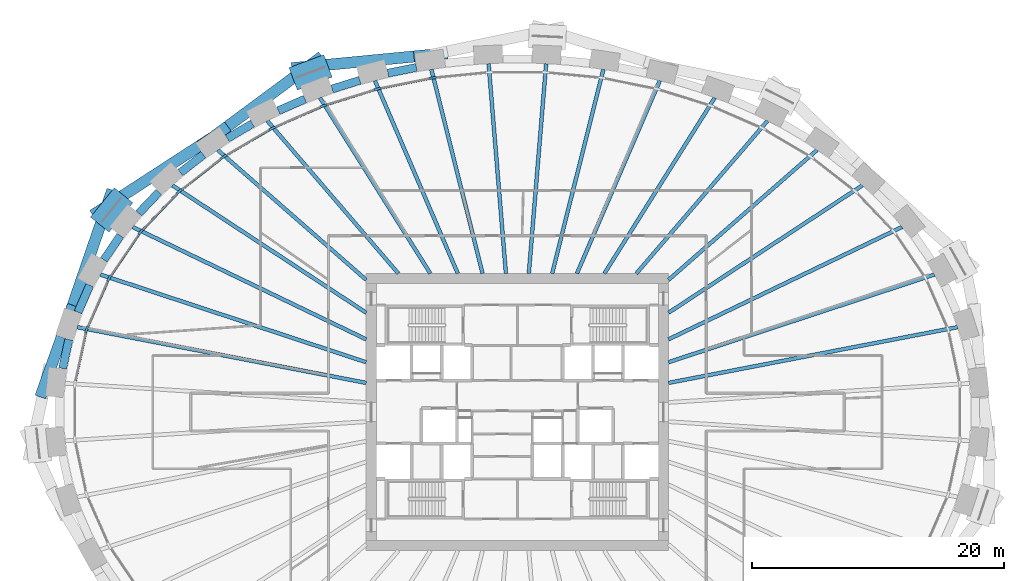
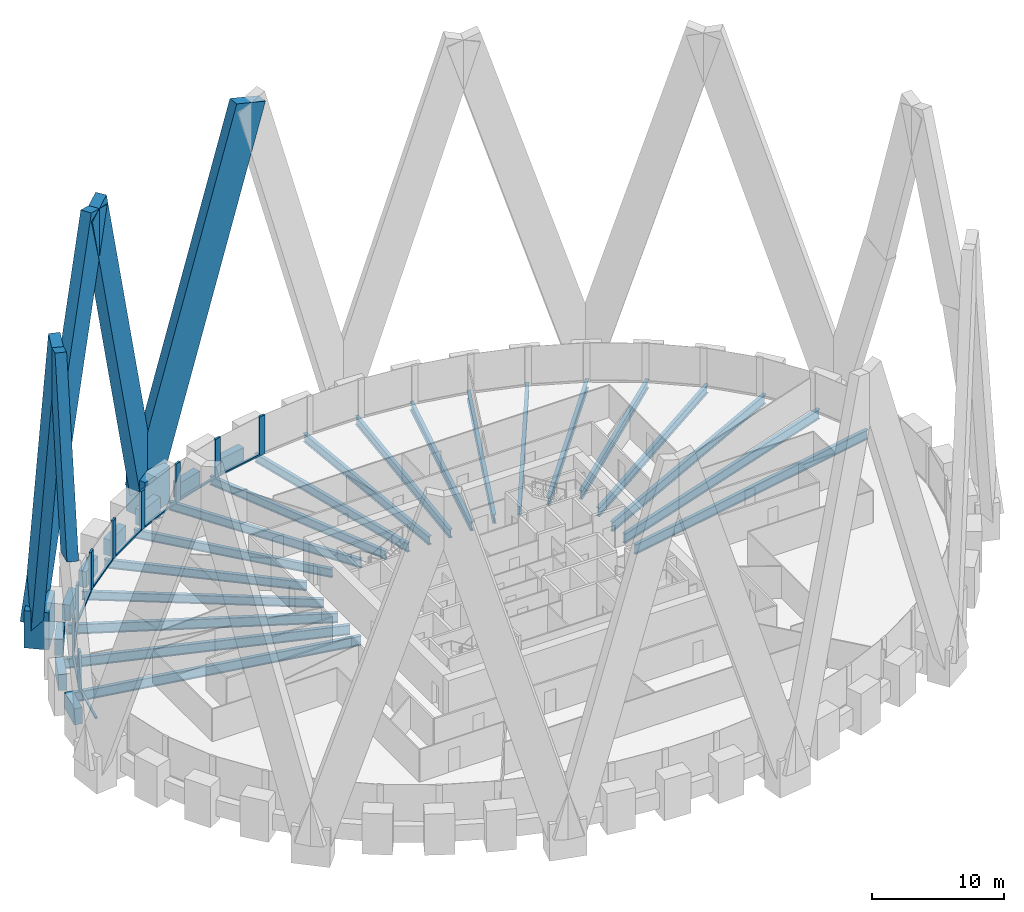
# One storey, part 3 of 12: 29 beams, 25 members, 1 element without a shape of its own.
"""IFC4 building model written with IfcOpenShell, lengths in metres."""

import ifcopenshell
import ifcopenshell.guid

model = None  # the IFC model being written
_history = None  # IfcOwnerHistory: only IFC2X3 demands one
_inside = {}  # id of a spatial element -> (the spatial element, [elements in it])
_under = {}  # id of a project, library or spatial element -> (it, [spatial elements below it])
_declared = {}  # id of a project -> (the project, [libraries it declares])
_typed = {}  # id of a type object -> (the type object, [elements of that type])
_made_of = {}  # id of a material, layer set ... -> (it, [elements and type objects made of it])


def new_model(schema):
    """Start an empty IFC model of exactly this schema.

    Asked for "IFC4X3", IfcOpenShell would pick the latest addendum, in which some entities
    have other attributes; the version numbers below select the first issue.
    IFC2X3 requires an IfcOwnerHistory on every rooted entity: one is made here for all.
    """
    global model, _history
    if schema == "IFC4X3":
        model = ifcopenshell.file(schema_version=(4, 3, 0, 0))
    else:
        model = ifcopenshell.file(schema=schema)
    _inside.clear()
    _under.clear()
    _declared.clear()
    _typed.clear()
    _made_of.clear()
    _history = None
    if model.schema == "IFC2X3":
        org = make("IfcOrganization", Name="unknown")
        user = make(
            "IfcPersonAndOrganization",
            ThePerson=make("IfcPerson", FamilyName="unknown"),
            TheOrganization=org,
        )
        app = make(
            "IfcApplication",
            ApplicationDeveloper=org,
            Version="unknown",
            ApplicationFullName="unknown",
            ApplicationIdentifier="unknown",
        )
        _history = make(
            "IfcOwnerHistory",
            OwningUser=user,
            OwningApplication=app,
            ChangeAction="ADDED",
            CreationDate=0,
        )
    return model


def make(cls, **values):
    """One entity of the class cls with the attributes given. An attribute that is None is left unset."""
    return model.create_entity(
        cls, **{name: value for name, value in values.items() if value is not None}
    )


def rooted(cls, **values):
    """An entity with a GlobalId (a new one), such as an element, a storey or a relation."""
    return make(cls, GlobalId=ifcopenshell.guid.new(), OwnerHistory=_history, **values)


def si_unit(unit_type, name, prefix=None):
    """IfcSIUnit, for example si_unit("LENGTHUNIT", "METRE", prefix="MILLI")."""
    return make("IfcSIUnit", UnitType=unit_type, Prefix=prefix, Name=name)


def assignment(units):
    """IfcUnitAssignment: the units of a project."""
    return None if units is None else make("IfcUnitAssignment", Units=units)


def point(xyz):
    """IfcCartesianPoint."""
    return None if xyz is None else make("IfcCartesianPoint", Coordinates=xyz)


def direction(xyz):
    """IfcDirection."""
    return None if xyz is None else make("IfcDirection", DirectionRatios=xyz)


def frame(location, z_axis=None, x_axis=None):
    """IfcAxis2Placement3D, a coordinate frame: its origin and axes. An axis left out is left unset."""
    return make(
        "IfcAxis2Placement3D",
        Location=point(location),
        Axis=direction(z_axis),
        RefDirection=direction(x_axis),
    )


def frame_2d(location, x_axis=None):
    """IfcAxis2Placement2D, a coordinate frame in the plane: its origin and x axis."""
    return make(
        "IfcAxis2Placement2D", Location=point(location), RefDirection=direction(x_axis)
    )


def origin():
    """The frame at (0, 0, 0) with its axes left unset."""
    return frame((0.0, 0.0, 0.0))


def origin_2d():
    """The frame at (0, 0) in the plane with its x axis left unset."""
    return frame_2d((0.0, 0.0))


def place(relative_to, where):
    """IfcLocalPlacement: puts the frame where relative to a parent placement (None: the world)."""
    return make(
        "IfcLocalPlacement", PlacementRelTo=relative_to, RelativePlacement=where
    )


def context(
    kind, dimensions, precision=None, world=None, true_north=None, identifier=None
):
    """IfcGeometricRepresentationContext, for example the 3D "Model" context."""
    return make(
        "IfcGeometricRepresentationContext",
        ContextIdentifier=identifier,
        ContextType=kind,
        CoordinateSpaceDimension=dimensions,
        Precision=precision,
        WorldCoordinateSystem=world,
        TrueNorth=true_north,
    )


def subcontext(parent, identifier, kind, view, scale=None):
    """IfcGeometricRepresentationSubContext, for example "Body" below "Model"."""
    return make(
        "IfcGeometricRepresentationSubContext",
        ContextIdentifier=identifier,
        ContextType=kind,
        ParentContext=parent,
        TargetScale=scale,
        TargetView=view,
    )


def project(units=None, contexts=None):
    """IfcProject with its units and contexts."""
    return rooted(
        "IfcProject",
        Name="project",
        RepresentationContexts=contexts,
        UnitsInContext=assignment(units),
    )


def spatial(cls, under=None, at=None, **own):
    """A site, building, storey or space (cls), placed at a placement, below another one or the project."""
    s = rooted(cls, ObjectPlacement=at, **own)
    if under is not None:
        _under.setdefault(under.id(), (under, []))[1].append(s)
    return s


def profile(cls, at=None, kind="AREA", **sizes):
    """A parametric profile (cls). Its sizes go by their IFC names, for example OverallWidth=200.0."""
    return make(cls, ProfileType=kind, Position=at, **sizes)


def rectangle(**sizes):
    """IfcRectangleProfileDef."""
    return profile("IfcRectangleProfileDef", **sizes)


def i_section(**sizes):
    """IfcIShapeProfileDef."""
    return profile("IfcIShapeProfileDef", **sizes)


def extrude(swept, where, along, depth):
    """IfcExtrudedAreaSolid: the profile swept, set in the frame where, extruded along a direction by depth."""
    return make(
        "IfcExtrudedAreaSolid",
        SweptArea=swept,
        Position=where,
        ExtrudedDirection=direction(along),
        Depth=depth,
    )


def shape(context_of_items, identifier, shape_type, items):
    """IfcShapeRepresentation: the items that make up one representation, for example the "Body"."""
    return make(
        "IfcShapeRepresentation",
        ContextOfItems=context_of_items,
        RepresentationIdentifier=identifier,
        RepresentationType=shape_type,
        Items=items,
    )


def source(mapping_origin, context_of_items, identifier, shape_type, items):
    """IfcRepresentationMap: a shape defined once, which mapped items show again and again."""
    return make(
        "IfcRepresentationMap",
        MappingOrigin=mapping_origin,
        MappedRepresentation=shape(context_of_items, identifier, shape_type, items),
    )


def transform(
    local_origin,
    x_axis=None,
    y_axis=None,
    z_axis=None,
    scale=None,
    scale2=None,
    scale3=None,
    uniform=True,
):
    """IfcCartesianTransformationOperator3D, or its non-uniform kind. x_axis, y_axis, z_axis: its Axis1, 2, 3."""
    if uniform:
        return make(
            "IfcCartesianTransformationOperator3D",
            Axis1=direction(x_axis),
            Axis2=direction(y_axis),
            LocalOrigin=point(local_origin),
            Scale=scale,
            Axis3=direction(z_axis),
        )
    return make(
        "IfcCartesianTransformationOperator3DnonUniform",
        Axis1=direction(x_axis),
        Axis2=direction(y_axis),
        LocalOrigin=point(local_origin),
        Scale=scale,
        Axis3=direction(z_axis),
        Scale2=scale2,
        Scale3=scale3,
    )


def mapped(mapping_source, mapping_target):
    """IfcMappedItem: shows the shape of a source again, moved by a transform."""
    return make(
        "IfcMappedItem", MappingSource=mapping_source, MappingTarget=mapping_target
    )


def material(Name=None, Category=None):
    """IfcMaterial."""
    return make("IfcMaterial", Name=Name, Category=Category)


def material_profile(
    of_material, cross_section, Name=None, Category=None, Priority=None
):
    """IfcMaterialProfile: a cross section and its material."""
    return make(
        "IfcMaterialProfile",
        Name=Name,
        Material=of_material,
        Profile=cross_section,
        Priority=Priority,
        Category=Category,
    )


def profile_set(profiles, Name=None, composite=None):
    """IfcMaterialProfileSet."""
    return make(
        "IfcMaterialProfileSet",
        Name=Name,
        MaterialProfiles=profiles,
        CompositeProfile=composite,
    )


def made_of(thing, what):
    """Note that an element or type object is made of a material, layer set ...; save() writes the relation."""
    if what is not None:
        _made_of.setdefault(what.id(), (what, []))[1].append(thing)
    return thing


def type_object(cls, material=None, **own):
    """A type object (cls), such as IfcWallType, which elements share."""
    return made_of(rooted(cls, **own), material)


def element(
    cls,
    number,
    at=None,
    inside=None,
    cuts=None,
    type_object=None,
    material=None,
    context=None,
    identifier="Body",
    shape_type=None,
    held_by="IfcProductDefinitionShape",
    body=None,
    shapes=None,
    **own,
):
    """One element of the class cls, such as IfcWall. Its Tag is "e" and its number.

    at: its placement. inside: the storey or other place that contains it. cuts: it is an
    opening in that element (IfcRelVoidsElement). A single representation is given by context,
    identifier, shape_type and body (its items); several are given by shapes. held_by: the class
    of the entity that holds the representations. save() writes the other relations.
    """
    e = rooted(cls, Tag="e%d" % number, ObjectPlacement=at, **own)
    if body is not None:
        shapes = [shape(context, identifier, shape_type, body)]
    if shapes is not None:
        e.Representation = make(held_by, Representations=shapes)
    if inside is not None:
        _inside.setdefault(inside.id(), (inside, []))[1].append(e)
    if cuts is not None:
        rooted(
            "IfcRelVoidsElement", RelatingBuildingElement=cuts, RelatedOpeningElement=e
        )
    if type_object is not None:
        _typed.setdefault(type_object.id(), (type_object, []))[1].append(e)
    return made_of(e, material)


def aggregate(whole, parts):
    """IfcRelAggregates: a whole, such as a stair, and the parts it consists of."""
    return rooted("IfcRelAggregates", RelatingObject=whole, RelatedObjects=parts)


def save(model, path):
    """Write the relations noted so far, then the file.

    IfcRelAggregates (storeys below a building ...), IfcRelContainedInSpatialStructure (elements
    in a storey), IfcRelDefinesByType, IfcRelAssociatesMaterial and IfcRelDeclares: one each for
    every whole, place, type object, material and project.
    """
    for whole, parts in _under.values():
        aggregate(whole, parts)
    for where, things in _inside.values():
        rooted(
            "IfcRelContainedInSpatialStructure",
            RelatedElements=things,
            RelatingStructure=where,
        )
    for kind, things in _typed.values():
        rooted("IfcRelDefinesByType", RelatedObjects=things, RelatingType=kind)
    for what, things in _made_of.values():
        rooted("IfcRelAssociatesMaterial", RelatedObjects=things, RelatingMaterial=what)
    for by, libraries in _declared.values():
        rooted("IfcRelDeclares", RelatingContext=by, RelatedDefinitions=libraries)
    model.write(path)


model = new_model("IFC4")

# Units and contexts
model_context = context("Model", 3, precision=1e-05, world=origin(), true_north=direction((0.0, 1.0)))
body_context = subcontext(model_context, "Body", "Model", "MODEL_VIEW")
ifc_project = project(units=[si_unit("LENGTHUNIT", "METRE"), si_unit("AREAUNIT", "SQUARE_METRE"), si_unit("VOLUMEUNIT", "CUBIC_METRE"), si_unit("PLANEANGLEUNIT", "RADIAN"), si_unit("MASSUNIT", "GRAM", prefix="KILO")], contexts=[model_context])

# Site, building, storey
site_placement = place(None, origin())
site = spatial("IfcSite", under=ifc_project, at=site_placement, CompositionType="ELEMENT")
building_placement = place(site_placement, origin())
building = spatial("IfcBuilding", under=site, at=building_placement, Name="Embergate Tower", CompositionType="ELEMENT")
storey_placement = place(building_placement, frame((0.0, 0.0, 191.10009765625)))
storey = spatial("IfcBuildingStorey", under=building, at=storey_placement, Name="L43", CompositionType="ELEMENT", Elevation=191.10009765625)

# Beams
ifc_material_1 = material(Name="Concrete C70", Category="concrete")
ifc_material_profile_1 = material_profile(ifc_material_1, rectangle(XDim=0.64990234375, YDim=1.5, at=origin_2d()), Name="RC 650x1500")
ifc_profile_set_1 = profile_set([ifc_material_profile_1], Name="Concrete C70")
beam_type_1 = type_object("IfcBeamType", Name="Spandrel beam RC 650x1500 C70", PredefinedType="BEAM", material=ifc_profile_set_1)
shared_shape_1 = source(origin(), body_context, "Body", "SweptSolid", [
    extrude(rectangle(XDim=0.64990234375, YDim=1.5, at=origin_2d()), origin(), (0.0, 0.0, 1.0), 2.34375),
])
beam_1_placement = place(storey_placement, frame((-35.614013671875, 5.75, 0.0), z_axis=(-0.210738330645, -0.977542508537, 0.0), x_axis=(0.977542508537, -0.210738330645, 0.0)))
element("IfcBeam", 1, at=beam_1_placement, inside=storey, type_object=beam_type_1, Name="SPN-L43-20", PredefinedType="BEAM", context=body_context, shape_type="MappedRepresentation", body=[
    mapped(shared_shape_1, transform((0.0, 0.0, 0.0))),
])
shared_shape_2 = source(origin(), body_context, "Body", "SweptSolid", [
    extrude(rectangle(XDim=0.64990234375, YDim=1.5, at=origin_2d()), origin(), (0.0, 0.0, 1.0), 2.3349609375),
])
beam_2_placement = place(storey_placement, frame((-33.949951171875, 10.070068359375, 0.0), z_axis=(-0.401729187016, -0.915758516368, 0.0), x_axis=(0.915758516368, -0.401729187016, 0.0)))
element("IfcBeam", 2, at=beam_2_placement, inside=storey, type_object=beam_type_1, Name="SPN-L43-19", PredefinedType="BEAM", context=body_context, shape_type="MappedRepresentation", body=[
    mapped(shared_shape_2, transform((0.0, 0.0, 0.0))),
])
shared_shape_3 = source(origin(), body_context, "Body", "SweptSolid", [
    extrude(rectangle(XDim=0.64990234375, YDim=1.5, at=origin_2d()), origin(), (0.0, 0.0, 1.0), 2.329345703125),
])
beam_3_placement = place(storey_placement, frame((-31.52587890625, 14.009033203125, 0.0), z_axis=(-0.562416089232, -0.826854366, 0.0), x_axis=(0.826854366, -0.562416089232, 0.0)))
element("IfcBeam", 3, at=beam_3_placement, inside=storey, type_object=beam_type_1, Name="SPN-L43-18", PredefinedType="BEAM", context=body_context, shape_type="MappedRepresentation", body=[
    mapped(shared_shape_3, transform((0.0, 0.0, 0.0))),
])
shared_shape_4 = source(origin(), body_context, "Body", "SweptSolid", [
    extrude(rectangle(XDim=0.64990234375, YDim=1.5, at=origin_2d()), origin(), (0.0, 0.0, 1.0), 2.322265625),
])
beam_4_placement = place(storey_placement, frame((-28.462890625, 17.466064453125, 0.0), z_axis=(-0.690300694886, -0.723522598569, 0.0), x_axis=(0.723522598569, -0.690300694886, 0.0)))
element("IfcBeam", 4, at=beam_4_placement, inside=storey, type_object=beam_type_1, Name="SPN-L43-17", PredefinedType="BEAM", context=body_context, shape_type="MappedRepresentation", body=[
    mapped(shared_shape_4, transform((0.0, 0.0, 0.0))),
])
shared_shape_5 = source(origin(), body_context, "Body", "SweptSolid", [
    extrude(rectangle(XDim=0.64990234375, YDim=1.5, at=origin_2d()), origin(), (0.0, 0.0, 1.0), 2.31787109375),
])
beam_5_placement = place(storey_placement, frame((-24.930908203125, 20.43603515625, 0.0), z_axis=(-0.788324506127, -0.615259679354, 0.0), x_axis=(0.615259679354, -0.788324506127, 0.0)))
element("IfcBeam", 5, at=beam_5_placement, inside=storey, type_object=beam_type_1, Name="SPN-L43-16", PredefinedType="BEAM", context=body_context, shape_type="MappedRepresentation", body=[
    mapped(shared_shape_5, transform((0.0, 0.0, 0.0))),
])
shared_shape_6 = source(origin(), body_context, "Body", "SweptSolid", [
    extrude(rectangle(XDim=0.64990234375, YDim=1.5, at=origin_2d()), origin(), (0.0, 0.0, 1.0), 2.31298828125),
])
beam_6_placement = place(storey_placement, frame((-21.034912109375, 22.902099609375, 0.0), z_axis=(-0.86210510292, -0.506729505279, 0.0), x_axis=(0.506729505279, -0.86210510292, 0.0)))
element("IfcBeam", 6, at=beam_6_placement, inside=storey, type_object=beam_type_1, Name="SPN-L43-15", PredefinedType="BEAM", context=body_context, shape_type="MappedRepresentation", body=[
    mapped(shared_shape_6, transform((0.0, 0.0, 0.0))),
])
shared_shape_7 = source(origin(), body_context, "Body", "SweptSolid", [
    extrude(rectangle(XDim=0.64990234375, YDim=1.5, at=origin_2d()), origin(), (0.0, 0.0, 1.0), 2.30810546875),
])
beam_7_placement = place(storey_placement, frame((-16.862060546875, 24.85400390625, 0.0), z_axis=(-0.91635386748, -0.40036931645, 0.0), x_axis=(0.40036931645, -0.91635386748, 0.0)))
element("IfcBeam", 7, at=beam_7_placement, inside=storey, type_object=beam_type_1, Name="SPN-L43-14", PredefinedType="BEAM", context=body_context, shape_type="MappedRepresentation", body=[
    mapped(shared_shape_7, transform((0.0, 0.0, 0.0))),
])
shared_shape_8 = source(origin(), body_context, "Body", "SweptSolid", [
    extrude(rectangle(XDim=0.64990234375, YDim=1.5, at=origin_2d()), origin(), (0.0, 0.0, 1.0), 2.306640625),
])
beam_8_placement = place(storey_placement, frame((-12.5048828125, 26.343994140625, 0.0), z_axis=(-0.954743281812, -0.297431111074, 0.0), x_axis=(0.297431111074, -0.954743281812, 0.0)))
element("IfcBeam", 8, at=beam_8_placement, inside=storey, type_object=beam_type_1, Name="SPN-L43-13", PredefinedType="BEAM", context=body_context, shape_type="MappedRepresentation", body=[
    mapped(shared_shape_8, transform((0.0, 0.0, 0.0))),
])
shared_shape_9 = source(origin(), body_context, "Body", "SweptSolid", [
    extrude(rectangle(XDim=0.64990234375, YDim=1.5, at=origin_2d()), origin(), (0.0, 0.0, 1.0), 2.3037109375),
])
beam_9_placement = place(storey_placement, frame((-8.01708984375, 27.365966796875, 0.0), z_axis=(-0.980486815957, -0.196584851232, 0.0), x_axis=(0.196584851232, -0.980486815957, 0.0)))
element("IfcBeam", 9, at=beam_9_placement, inside=storey, type_object=beam_type_1, Name="SPN-L43-12", PredefinedType="BEAM", context=body_context, shape_type="MappedRepresentation", body=[
    mapped(shared_shape_9, transform((0.0, 0.0, 0.0))),
])
ifc_material_2 = material(Name="Steel Q355B", Category="steel")
ifc_material_profile_2 = material_profile(ifc_material_2, i_section(OverallWidth=0.300048828125, OverallDepth=0.89990234375, WebThickness=0.01611328125, FlangeThickness=0.028076171875, FilletRadius=0.028076171875, at=origin_2d()), Name="HN 900x300x16x28")
ifc_profile_set_2 = profile_set([ifc_material_profile_2], Name="Steel Q355 grade B")
beam_type_2 = type_object("IfcBeamType", Name="Radial girder HN 900x300x16x28", PredefinedType="BEAM", material=ifc_profile_set_2)
shared_shape_10 = source(origin(), body_context, "Body", "SweptSolid", [
    extrude(i_section(OverallWidth=0.300048828125, OverallDepth=0.89990234375, WebThickness=0.01611328125, FlangeThickness=0.028076171875, FilletRadius=0.028076171875, at=origin_2d()), origin(), (0.0, 0.0, 1.0), 23.368896484375),
])
for number, where, z_axis, x_axis, name in (
    (10, (34.946044921875, 6.740966796875, -0.650146484375), (-0.981900554316, -0.189397205456, 0.0), (0.189397205456, -0.981900554316, 0.0), "GIR-L43-01"),
    (11, (-34.946044921875, 6.740966796875, -0.650146484375), (0.981900554316, -0.189397205456, 0.0), (0.189397205456, 0.981900554316, 0.0), "GIR-L43-20"),
):
    element("IfcBeam", number, at=place(storey_placement, frame(where, z_axis=z_axis, x_axis=x_axis)), inside=storey, type_object=beam_type_2, Name=name, PredefinedType="BEAM", context=body_context, shape_type="MappedRepresentation", body=[
        mapped(shared_shape_10, transform((0.0, 0.0, 0.0))),
    ])
shared_shape_11 = source(origin(), body_context, "Body", "SweptSolid", [
    extrude(i_section(OverallWidth=0.300048828125, OverallDepth=0.89990234375, WebThickness=0.01611328125, FlangeThickness=0.028076171875, FilletRadius=0.028076171875, at=origin_2d()), origin(), (0.0, 0.0, 1.0), 22.2314453125),
])
for number, where, z_axis, x_axis, name in (
    (12, (33.113037109375, 10.919921875, -0.650146484375), (-0.949687686315, -0.313198496903, 0.0), (0.313198496903, -0.949687686315, 0.0), "GIR-L43-02"),
    (13, (-33.113037109375, 10.919921875, -0.650146484375), (0.949687686315, -0.313198496903, 0.0), (0.313198496903, 0.949687686315, 0.0), "GIR-L43-19"),
):
    element("IfcBeam", number, at=place(storey_placement, frame(where, z_axis=z_axis, x_axis=x_axis)), inside=storey, type_object=beam_type_2, Name=name, PredefinedType="BEAM", context=body_context, shape_type="MappedRepresentation", body=[
        mapped(shared_shape_11, transform((0.0, 0.0, 0.0))),
    ])
shared_shape_12 = source(origin(), body_context, "Body", "SweptSolid", [
    extrude(i_section(OverallWidth=0.300048828125, OverallDepth=0.89990234375, WebThickness=0.01611328125, FlangeThickness=0.028076171875, FilletRadius=0.028076171875, at=origin_2d()), origin(), (0.0, 0.0, 1.0), 20.580322265625),
])
for number, where, z_axis, x_axis, name in (
    (14, (30.5458984375, 14.695068359375, -0.650146484375), (-0.901141928055, -0.433524192522, 0.0), (0.433524192522, -0.901141928055, 0.0), "GIR-L43-03"),
    (15, (-30.5458984375, 14.695068359375, -0.650146484375), (0.901141928055, -0.433524192522, 0.0), (0.433524192522, 0.901141928055, 0.0), "GIR-L43-18"),
):
    element("IfcBeam", number, at=place(storey_placement, frame(where, z_axis=z_axis, x_axis=x_axis)), inside=storey, type_object=beam_type_2, Name=name, PredefinedType="BEAM", context=body_context, shape_type="MappedRepresentation", body=[
        mapped(shared_shape_12, transform((0.0, 0.0, 0.0))),
    ])
ifc_material_profile_3 = material_profile(ifc_material_2, i_section(OverallWidth=0.300048828125, OverallDepth=0.800048828125, WebThickness=0.013916015625, FlangeThickness=0.02587890625, FilletRadius=0.028076171875, at=origin_2d()), Name="HN 800x300x14x26")
ifc_profile_set_3 = profile_set([ifc_material_profile_3], Name="Steel Q355 grade B")
beam_type_3 = type_object("IfcBeamType", Name="Radial girder HN 800x300x14x26", PredefinedType="BEAM", material=ifc_profile_set_3)
shared_shape_13 = source(origin(), body_context, "Body", "SweptSolid", [
    extrude(i_section(OverallWidth=0.300048828125, OverallDepth=0.800048828125, WebThickness=0.013916015625, FlangeThickness=0.02587890625, FilletRadius=0.028076171875, at=origin_2d()), origin(), (0.0, 0.0, 1.0), 18.420654296875),
])
for number, where, z_axis, x_axis, name in (
    (16, (27.39501953125, 17.9990234375, -0.60009765625), (-0.835748751714, -0.549112032292, 0.0), (0.549112032292, -0.835748751714, 0.0), "GIR-L43-04"),
    (17, (-27.39501953125, 17.9990234375, -0.60009765625), (0.835748751714, -0.549112032292, 0.0), (0.549112032292, 0.835748751714, 0.0), "GIR-L43-17"),
):
    element("IfcBeam", number, at=place(storey_placement, frame(where, z_axis=z_axis, x_axis=x_axis)), inside=storey, type_object=beam_type_3, Name=name, PredefinedType="BEAM", context=body_context, shape_type="MappedRepresentation", body=[
        mapped(shared_shape_13, transform((0.0, 0.0, 0.0))),
    ])
shared_shape_14 = source(origin(), body_context, "Body", "SweptSolid", [
    extrude(i_section(OverallWidth=0.300048828125, OverallDepth=0.800048828125, WebThickness=0.013916015625, FlangeThickness=0.02587890625, FilletRadius=0.028076171875, at=origin_2d()), origin(), (0.0, 0.0, 1.0), 15.6689453125),
])
for number, where, z_axis, x_axis, name in (
    (18, (23.794921875, 20.81005859375, -0.60009765625), (-0.752754264338, -0.658301615919, 0.0), (0.658301615919, -0.752754264338, 0.0), "GIR-L43-05"),
    (19, (-23.794921875, 20.81005859375, -0.60009765625), (0.752754264338, -0.658301615919, 0.0), (0.658301615919, 0.752754264338, 0.0), "GIR-L43-16"),
):
    element("IfcBeam", number, at=place(storey_placement, frame(where, z_axis=z_axis, x_axis=x_axis)), inside=storey, type_object=beam_type_3, Name=name, PredefinedType="BEAM", context=body_context, shape_type="MappedRepresentation", body=[
        mapped(shared_shape_14, transform((0.0, 0.0, 0.0))),
    ])
shared_shape_15 = source(origin(), body_context, "Body", "SweptSolid", [
    extrude(i_section(OverallWidth=0.300048828125, OverallDepth=0.800048828125, WebThickness=0.013916015625, FlangeThickness=0.02587890625, FilletRadius=0.028076171875, at=origin_2d()), origin(), (0.0, 0.0, 1.0), 15.98193359375),
])
for number, where, z_axis, x_axis, name in (
    (20, (19.85791015625, 23.125, -0.60009765625), (-0.651476732158, -0.758668615047, 0.0), (0.758668615047, -0.651476732158, 0.0), "GIR-L43-06"),
    (21, (-19.85791015625, 23.125, -0.60009765625), (0.651476732158, -0.758668615047, 0.0), (0.758668615047, 0.651476732158, 0.0), "GIR-L43-15"),
):
    element("IfcBeam", number, at=place(storey_placement, frame(where, z_axis=z_axis, x_axis=x_axis)), inside=storey, type_object=beam_type_3, Name=name, PredefinedType="BEAM", context=body_context, shape_type="MappedRepresentation", body=[
        mapped(shared_shape_15, transform((0.0, 0.0, 0.0))),
    ])
shared_shape_16 = source(origin(), body_context, "Body", "SweptSolid", [
    extrude(i_section(OverallWidth=0.300048828125, OverallDepth=0.800048828125, WebThickness=0.013916015625, FlangeThickness=0.02587890625, FilletRadius=0.028076171875, at=origin_2d()), origin(), (0.0, 0.0, 1.0), 16.47802734375),
])
for number, where, z_axis, x_axis, name in (
    (22, (15.672119140625, 24.9541015625, -0.60009765625), (-0.531867473593, -0.846827603786, 0.0), (0.846827603786, -0.531867473593, 0.0), "GIR-L43-07"),
    (23, (-15.672119140625, 24.9541015625, -0.60009765625), (0.531867473593, -0.846827603786, 0.0), (0.846827603786, 0.531867473593, 0.0), "GIR-L43-14"),
):
    element("IfcBeam", number, at=place(storey_placement, frame(where, z_axis=z_axis, x_axis=x_axis)), inside=storey, type_object=beam_type_3, Name=name, PredefinedType="BEAM", context=body_context, shape_type="MappedRepresentation", body=[
        mapped(shared_shape_16, transform((0.0, 0.0, 0.0))),
    ])
shared_shape_17 = source(origin(), body_context, "Body", "SweptSolid", [
    extrude(i_section(OverallWidth=0.300048828125, OverallDepth=0.800048828125, WebThickness=0.013916015625, FlangeThickness=0.02587890625, FilletRadius=0.028076171875, at=origin_2d()), origin(), (0.0, 0.0, 1.0), 16.667724609375),
])
for number, where, z_axis, x_axis, name in (
    (24, (11.31005859375, 26.31298828125, -0.60009765625), (-0.394898441687, -0.918724779655, 0.0), (0.918724779655, -0.394898441687, 0.0), "GIR-L43-08"),
    (25, (-11.31005859375, 26.31298828125, -0.60009765625), (0.394898441687, -0.918724779655, 0.0), (0.918724779655, 0.394898441687, 0.0), "GIR-L43-13"),
):
    element("IfcBeam", number, at=place(storey_placement, frame(where, z_axis=z_axis, x_axis=x_axis)), inside=storey, type_object=beam_type_3, Name=name, PredefinedType="BEAM", context=body_context, shape_type="MappedRepresentation", body=[
        mapped(shared_shape_17, transform((0.0, 0.0, 0.0))),
    ])
shared_shape_18 = source(origin(), body_context, "Body", "SweptSolid", [
    extrude(i_section(OverallWidth=0.300048828125, OverallDepth=0.800048828125, WebThickness=0.013916015625, FlangeThickness=0.02587890625, FilletRadius=0.028076171875, at=origin_2d()), origin(), (0.0, 0.0, 1.0), 16.7138671875),
])
for number, where, z_axis, x_axis, name in (
    (26, (6.8310546875, 27.2109375, -0.60009765625), (-0.243456622588, -0.969911786153, 0.0), (0.969911786153, -0.243456622588, 0.0), "GIR-L43-09"),
    (27, (-6.8310546875, 27.2109375, -0.60009765625), (0.243456622588, -0.969911786153, 0.0), (0.969911786153, 0.243456622588, 0.0), "GIR-L43-12"),
):
    element("IfcBeam", number, at=place(storey_placement, frame(where, z_axis=z_axis, x_axis=x_axis)), inside=storey, type_object=beam_type_3, Name=name, PredefinedType="BEAM", context=body_context, shape_type="MappedRepresentation", body=[
        mapped(shared_shape_18, transform((0.0, 0.0, 0.0))),
    ])
shared_shape_19 = source(origin(), body_context, "Body", "SweptSolid", [
    extrude(i_section(OverallWidth=0.300048828125, OverallDepth=0.800048828125, WebThickness=0.013916015625, FlangeThickness=0.02587890625, FilletRadius=0.028076171875, at=origin_2d()), origin(), (0.0, 0.0, 1.0), 16.714599609375),
])
for number, where, z_axis, x_axis, name in (
    (28, (2.284912109375, 27.657958984375, -0.60009765625), (-0.08232138593, -0.99660583453, 0.0), (0.99660583453, -0.08232138593, 0.0), "GIR-L43-10"),
    (29, (-2.284912109375, 27.657958984375, -0.60009765625), (0.08232138593, -0.99660583453, 0.0), (0.99660583453, 0.08232138593, 0.0), "GIR-L43-11"),
):
    element("IfcBeam", number, at=place(storey_placement, frame(where, z_axis=z_axis, x_axis=x_axis)), inside=storey, type_object=beam_type_3, Name=name, PredefinedType="BEAM", context=body_context, shape_type="MappedRepresentation", body=[
        mapped(shared_shape_19, transform((0.0, 0.0, 0.0))),
    ])

# Members
ifc_material_profile_4 = material_profile(ifc_material_1, rectangle(XDim=1.89990234375, YDim=3.0, at=origin_2d()), Name="RC 1900x3000")
ifc_profile_set_4 = profile_set([ifc_material_profile_4], Name="Concrete C70")
member_type_1 = type_object("IfcMemberType", Name="Lattice node block RC 1900x3000", PredefinedType="POST", material=ifc_profile_set_4)
shared_shape_20 = source(origin(), body_context, "Body", "SweptSolid", [
    extrude(rectangle(XDim=1.89990234375, YDim=3.0, at=origin_2d()), origin(), (0.0, 0.0, 1.0), 3.449951171875),
])
member_1_placement = place(storey_placement, frame((-32.215087890625, 16.051025390625, -1.72509765625), z_axis=(0.0, 0.0, 1.0), x_axis=(-0.775925311702, 0.630824786022, 0.0)))
element("IfcMember", 30, at=member_1_placement, inside=storey, type_object=member_type_1, Name="NOD-L43-18", PredefinedType="POST", context=body_context, shape_type="MappedRepresentation", body=[
    mapped(shared_shape_20, transform((0.0, 0.0, 0.0))),
])
ifc_material_profile_5 = material_profile(ifc_material_1, rectangle(XDim=1.89990234375, YDim=2.949951171875, at=origin_2d()), Name="RC 1900x2950")
ifc_profile_set_5 = profile_set([ifc_material_profile_5], Name="Concrete C70")
member_type_2 = type_object("IfcMemberType", Name="Lattice node block RC 1900x2950", PredefinedType="POST", material=ifc_profile_set_5)
shared_shape_21 = source(origin(), body_context, "Body", "SweptSolid", [
    extrude(rectangle(XDim=1.89990234375, YDim=2.949951171875, at=origin_2d()), origin(), (0.0, 0.0, 1.0), 3.400146484375),
])
member_2_placement = place(storey_placement, frame((-16.4208984375, 26.969970703125, -1.7001953125), z_axis=(0.0, 0.0, 1.0), x_axis=(-0.348343015724, 0.93736713373, 0.0)))
element("IfcMember", 31, at=member_2_placement, inside=storey, type_object=member_type_2, Name="NOD-L43-14", PredefinedType="POST", context=body_context, shape_type="MappedRepresentation", body=[
    mapped(shared_shape_21, transform((0.0, 0.0, 0.0))),
])
ifc_material_profile_6 = material_profile(ifc_material_1, rectangle(XDim=0.89990234375, YDim=2.800048828125, at=origin_2d()), Name="RC 900x2800")
ifc_profile_set_6 = profile_set([ifc_material_profile_6], Name="Concrete C70")
member_type_3 = type_object("IfcMemberType", Name="Lattice diagonal terracotta-faced RC 900x2800", PredefinedType="BRACE", material=ifc_profile_set_6)
shared_shape_22 = source(origin(), body_context, "Body", "SweptSolid", [
    extrude(rectangle(XDim=0.89990234375, YDim=2.800048828125, at=origin_2d()), origin(), (0.0, 0.0, 1.0), 33.26513671875),
])
member_3_placement = place(storey_placement, frame((-16.593017578125, 27.431884765625, 0.0), z_axis=(0.292196752751, 0.027962465224, 0.955949349192), x_axis=(-0.095262174421, 0.995452217901, 0.0)))
element("IfcMember", 32, at=member_3_placement, inside=storey, type_object=member_type_3, Name="BRC-L43-14-12-S00", PredefinedType="BRACE", context=body_context, shape_type="MappedRepresentation", body=[
    mapped(shared_shape_22, transform((0.0, 0.0, 0.0))),
])
shared_shape_23 = source(origin(), body_context, "Body", "SweptSolid", [
    extrude(rectangle(XDim=0.89990234375, YDim=2.800048828125, at=origin_2d()), origin(), (0.0, 0.0, 1.0), 33.134765625),
])
member_4_placement = place(storey_placement, frame((-16.593017578125, 27.431884765625, 0.0), z_axis=(-0.225861867939, -0.167160181312, 0.959710315874), x_axis=(0.594894512553, -0.803803781364, 0.0)))
element("IfcMember", 33, at=member_4_placement, inside=storey, type_object=member_type_3, Name="BRC-L43-14-16-S00", PredefinedType="BRACE", context=body_context, shape_type="MappedRepresentation", body=[
    mapped(shared_shape_23, transform((0.0, 0.0, 0.0))),
])
shared_shape_24 = source(origin(), body_context, "Body", "SweptSolid", [
    extrude(rectangle(XDim=0.89990234375, YDim=2.800048828125, at=origin_2d()), origin(), (0.0, 0.0, 1.0), 33.3828125),
])
member_5_placement = place(storey_placement, frame((-32.596923828125, 16.362060546875, 0.0), z_axis=(0.255221951133, 0.165684374546, 0.952580938131), x_axis=(-0.544503343904, 0.838758671179, 0.0)))
element("IfcMember", 34, at=member_5_placement, inside=storey, type_object=member_type_3, Name="BRC-L43-18-16-S00", PredefinedType="BRACE", context=body_context, shape_type="MappedRepresentation", body=[
    mapped(shared_shape_24, transform((0.0, 0.0, 0.0))),
])
shared_shape_25 = source(origin(), body_context, "Body", "SweptSolid", [
    extrude(rectangle(XDim=0.89990234375, YDim=2.800048828125, at=origin_2d()), origin(), (0.0, 0.0, 1.0), 33.238037109375),
])
member_6_placement = place(storey_placement, frame((-32.596923828125, 16.362060546875, 0.0), z_axis=(-0.09459194219, -0.275167210615, 0.956731608485), x_axis=(0.945683204017, -0.325089645543, 0.0)))
element("IfcMember", 35, at=member_6_placement, inside=storey, type_object=member_type_3, Name="BRC-L43-18-20-S00", PredefinedType="BRACE", context=body_context, shape_type="MappedRepresentation", body=[
    mapped(shared_shape_25, transform((0.0, 0.0, 0.0))),
])
shared_shape_26 = source(origin(), body_context, "Body", "SweptSolid", [
    extrude(rectangle(XDim=0.89990234375, YDim=2.800048828125, at=origin_2d()), origin(), (0.0, 0.0, 1.0), 16.682861328125),
])
member_7_placement = place(storey_placement, frame((-37.43310546875, 2.45703125, 15.89990234375), z_axis=(0.101429624083, 0.285264415271, 0.953066757756), x_axis=(-0.9422123169, 0.335016342709, 0.0)))
element("IfcMember", 36, at=member_7_placement, inside=storey, type_object=member_type_3, Name="BRC-L43-22-20-S01", PredefinedType="BRACE", context=body_context, shape_type="MappedRepresentation", body=[
    mapped(shared_shape_26, transform((0.0, 0.0, 0.0))),
])

# Curtain wall, members
ifc_material_3 = material(Name="Aluminium and glass", Category="aluminium")
curtain_wall_type = type_object("IfcCurtainWallType", Name="Recessed office glazing", PredefinedType="NOTDEFINED", material=ifc_material_3)
curtain_wall_placement = place(storey_placement, origin())
curtain_wall = element("IfcCurtainWall", 37, at=curtain_wall_placement, inside=storey, type_object=curtain_wall_type, Name="Recessed office glazing ring", ObjectType="RECESSED OFFICE GLAZING", PredefinedType="USERDEFINED")
ifc_material_4 = material(Name="Aluminium, thermally broken", Category="aluminium")
ifc_material_profile_7 = material_profile(ifc_material_4, rectangle(XDim=0.179931640625, YDim=0.52001953125, at=origin_2d()), Name="AL 520x180")
ifc_profile_set_7 = profile_set([ifc_material_profile_7], Name="Aluminium, thermally broken")
member_type_4 = type_object("IfcMemberType", Name="Office mullion", PredefinedType="MULLION", material=ifc_profile_set_7)
shared_shape_27 = source(origin(), body_context, "Body", "SweptSolid", [
    extrude(rectangle(XDim=0.179931640625, YDim=0.52001953125, at=origin_2d()), origin(), (0.0, 0.0, 1.0), 3.599853515625),
])
member_8_placement = place(storey_placement, frame((-6.701171875, 26.535888671875, 0.0), z_axis=(0.0, 0.0, 1.0), x_axis=(0.147410656556, -0.989075375456, 0.0)))
member_8 = element("IfcMember", 38, at=member_8_placement, type_object=member_type_4, Name="CW mullion 13", PredefinedType="MULLION", context=body_context, shape_type="MappedRepresentation", body=[
    mapped(shared_shape_27, transform((0.0, 0.0, 0.0))),
])
member_9_placement = place(storey_placement, frame((-11.093994140625, 25.65478515625, 0.0), z_axis=(0.0, 0.0, 1.0), x_axis=(0.247310190257, -0.968936360034, 0.0)))
member_9 = element("IfcMember", 39, at=member_9_placement, type_object=member_type_4, Name="CW mullion 14", PredefinedType="MULLION", context=body_context, shape_type="MappedRepresentation", body=[
    mapped(shared_shape_27, transform((0.0, 0.0, 0.0))),
])
member_10_placement = place(storey_placement, frame((-15.369873046875, 24.3232421875, 0.0), z_axis=(0.0, 0.0, 1.0), x_axis=(0.349499412327, -0.936936583117, 0.0)))
member_10 = element("IfcMember", 40, at=member_10_placement, type_object=member_type_4, Name="CW mullion 15", PredefinedType="MULLION", context=body_context, shape_type="MappedRepresentation", body=[
    mapped(shared_shape_27, transform((0.0, 0.0, 0.0))),
])
member_11_placement = place(storey_placement, frame((-19.469970703125, 22.530517578125, 0.0), z_axis=(0.0, 0.0, 1.0), x_axis=(0.454506716612, -0.890743310138, 0.0)))
member_11 = element("IfcMember", 41, at=member_11_placement, type_object=member_type_4, Name="CW mullion 16", PredefinedType="MULLION", context=body_context, shape_type="MappedRepresentation", body=[
    mapped(shared_shape_27, transform((0.0, 0.0, 0.0))),
])
member_12_placement = place(storey_placement, frame((-23.323486328125, 20.264892578125, 0.0), z_axis=(0.0, 0.0, 1.0), x_axis=(0.56221328843, -0.826992272221, 0.0)))
member_12 = element("IfcMember", 42, at=member_12_placement, type_object=member_type_4, Name="CW mullion 17", PredefinedType="MULLION", context=body_context, shape_type="MappedRepresentation", body=[
    mapped(shared_shape_27, transform((0.0, 0.0, 0.0))),
])
member_13_placement = place(storey_placement, frame((-26.843017578125, 17.51806640625, 0.0), z_axis=(0.0, 0.0, 1.0), x_axis=(0.671222652759, -0.741255792843, 0.0)))
member_13 = element("IfcMember", 43, at=member_13_placement, type_object=member_type_4, Name="CW mullion 18", PredefinedType="MULLION", context=body_context, shape_type="MappedRepresentation", body=[
    mapped(shared_shape_27, transform((0.0, 0.0, 0.0))),
])
member_14_placement = place(storey_placement, frame((-29.9189453125, 14.29248046875, 0.0), z_axis=(0.0, 0.0, 1.0), x_axis=(0.777869273934, -0.628426123477, 0.0)))
member_14 = element("IfcMember", 44, at=member_14_placement, type_object=member_type_4, Name="CW mullion 19", PredefinedType="MULLION", context=body_context, shape_type="MappedRepresentation", body=[
    mapped(shared_shape_27, transform((0.0, 0.0, 0.0))),
])
member_15_placement = place(storey_placement, frame((-32.42041015625, 10.6142578125, 0.0), z_axis=(0.0, 0.0, 1.0), x_axis=(0.874999360976, -0.484124073241, 0.0)))
member_15 = element("IfcMember", 45, at=member_15_placement, type_object=member_type_4, Name="CW mullion 20", PredefinedType="MULLION", context=body_context, shape_type="MappedRepresentation", body=[
    mapped(shared_shape_27, transform((0.0, 0.0, 0.0))),
])
member_16_placement = place(storey_placement, frame((-34.20361328125, 6.548583984375, 0.0), z_axis=(0.0, 0.0, 1.0), x_axis=(0.951496187099, -0.307660536853, 0.0)))
member_16 = element("IfcMember", 46, at=member_16_placement, type_object=member_type_4, Name="CW mullion 21", PredefinedType="MULLION", context=body_context, shape_type="MappedRepresentation", body=[
    mapped(shared_shape_27, transform((0.0, 0.0, 0.0))),
])
ifc_material_profile_8 = material_profile(ifc_material_4, rectangle(XDim=0.179931640625, YDim=0.14990234375, at=origin_2d()), Name="AL 150x180")
ifc_profile_set_8 = profile_set([ifc_material_profile_8], Name="Aluminium, thermally broken")
member_type_5 = type_object("IfcMemberType", Name="Office sill transom", PredefinedType="USERDEFINED", material=ifc_profile_set_8)
shared_shape_28 = source(origin(), body_context, "Body", "SweptSolid", [
    extrude(rectangle(XDim=0.179931640625, YDim=0.14990234375, at=origin_2d()), origin(), (0.0, 0.0, 1.0), 3.91259765625),
])
member_17_placement = place(storey_placement, frame((-34.25830078125, 6.294189453125, 0.074951171875), z_axis=(-0.210411119348, -0.977612991349, 0.0), x_axis=(0.977612991349, -0.210411119348, 0.0)))
member_17 = element("IfcMember", 47, at=member_17_placement, type_object=member_type_5, Name="CW transom 21.1", ObjectType="TRANSOM", PredefinedType="USERDEFINED", context=body_context, shape_type="MappedRepresentation", body=[
    mapped(shared_shape_28, transform((0.0, 0.0, 0.0))),
])
shared_shape_29 = source(origin(), body_context, "Body", "SweptSolid", [
    extrude(rectangle(XDim=0.179931640625, YDim=0.14990234375, at=origin_2d()), origin(), (0.0, 0.0, 1.0), 3.919677734375),
])
member_18_placement = place(storey_placement, frame((-32.52490234375, 10.376220703125, 0.074951171875), z_axis=(-0.401625752983, -0.915803884323, 0.0), x_axis=(0.915803884323, -0.401625752983, 0.0)))
member_18 = element("IfcMember", 48, at=member_18_placement, type_object=member_type_5, Name="CW transom 20.1", ObjectType="TRANSOM", PredefinedType="USERDEFINED", context=body_context, shape_type="MappedRepresentation", body=[
    mapped(shared_shape_29, transform((0.0, 0.0, 0.0))),
])
shared_shape_30 = source(origin(), body_context, "Body", "SweptSolid", [
    extrude(rectangle(XDim=0.179931640625, YDim=0.14990234375, at=origin_2d()), origin(), (0.0, 0.0, 1.0), 3.928466796875),
])
member_19_placement = place(storey_placement, frame((-30.065185546875, 14.07763671875, 0.074951171875), z_axis=(-0.562349116306, -0.826899916187, 0.0), x_axis=(0.826899916187, -0.562349116306, 0.0)))
member_19 = element("IfcMember", 49, at=member_19_placement, type_object=member_type_5, Name="CW transom 19.1", ObjectType="TRANSOM", PredefinedType="USERDEFINED", context=body_context, shape_type="MappedRepresentation", body=[
    mapped(shared_shape_30, transform((0.0, 0.0, 0.0))),
])
shared_shape_31 = source(origin(), body_context, "Body", "SweptSolid", [
    extrude(rectangle(XDim=0.179931640625, YDim=0.14990234375, at=origin_2d()), origin(), (0.0, 0.0, 1.0), 3.93701171875),
])
member_20_placement = place(storey_placement, frame((-27.0224609375, 17.329833984375, 0.074951171875), z_axis=(-0.690133496305, -0.723682083016, 0.0), x_axis=(0.723682083016, -0.690133496305, 0.0)))
member_20 = element("IfcMember", 50, at=member_20_placement, type_object=member_type_5, Name="CW transom 18.1", ObjectType="TRANSOM", PredefinedType="USERDEFINED", context=body_context, shape_type="MappedRepresentation", body=[
    mapped(shared_shape_31, transform((0.0, 0.0, 0.0))),
])
shared_shape_32 = source(origin(), body_context, "Body", "SweptSolid", [
    extrude(rectangle(XDim=0.179931640625, YDim=0.14990234375, at=origin_2d()), origin(), (0.0, 0.0, 1.0), 3.9443359375),
])
member_21_placement = place(storey_placement, frame((-23.528564453125, 20.10498046875, 0.074951171875), z_axis=(-0.788294548802, -0.615298061373, 0.0), x_axis=(0.615298061373, -0.788294548802, 0.0)))
member_21 = element("IfcMember", 51, at=member_21_placement, type_object=member_type_5, Name="CW transom 17.1", ObjectType="TRANSOM", PredefinedType="USERDEFINED", context=body_context, shape_type="MappedRepresentation", body=[
    mapped(shared_shape_32, transform((0.0, 0.0, 0.0))),
])
shared_shape_33 = source(origin(), body_context, "Body", "SweptSolid", [
    extrude(rectangle(XDim=0.179931640625, YDim=0.14990234375, at=origin_2d()), origin(), (0.0, 0.0, 1.0), 3.950439453125),
])
member_22_placement = place(storey_placement, frame((-19.694091796875, 22.398681640625, 0.074951171875), z_axis=(-0.862050167167, -0.506822956551, 0.0), x_axis=(0.506822956551, -0.862050167167, 0.0)))
member_22 = element("IfcMember", 52, at=member_22_placement, type_object=member_type_5, Name="CW transom 16.1", ObjectType="TRANSOM", PredefinedType="USERDEFINED", context=body_context, shape_type="MappedRepresentation", body=[
    mapped(shared_shape_33, transform((0.0, 0.0, 0.0))),
])
shared_shape_34 = source(origin(), body_context, "Body", "SweptSolid", [
    extrude(rectangle(XDim=0.179931640625, YDim=0.14990234375, at=origin_2d()), origin(), (0.0, 0.0, 1.0), 3.954833984375),
])
member_23_placement = place(storey_placement, frame((-15.60791015625, 24.218994140625, 0.074951171875), z_axis=(-0.916266391988, -0.400569468275, 0.0), x_axis=(0.400569468275, -0.916266391988, 0.0)))
member_23 = element("IfcMember", 53, at=member_23_placement, type_object=member_type_5, Name="CW transom 15.1", ObjectType="TRANSOM", PredefinedType="USERDEFINED", context=body_context, shape_type="MappedRepresentation", body=[
    mapped(shared_shape_34, transform((0.0, 0.0, 0.0))),
])
shared_shape_35 = source(origin(), body_context, "Body", "SweptSolid", [
    extrude(rectangle(XDim=0.179931640625, YDim=0.14990234375, at=origin_2d()), origin(), (0.0, 0.0, 1.0), 3.958251953125),
])
member_24_placement = place(storey_placement, frame((-11.34228515625, 25.577392578125, 0.074951171875), z_axis=(-0.954786767663, -0.297291487089, 0.0), x_axis=(0.297291487089, -0.954786767663, 0.0)))
member_24 = element("IfcMember", 54, at=member_24_placement, type_object=member_type_5, Name="CW transom 14.1", ObjectType="TRANSOM", PredefinedType="USERDEFINED", context=body_context, shape_type="MappedRepresentation", body=[
    mapped(shared_shape_35, transform((0.0, 0.0, 0.0))),
])
shared_shape_36 = source(origin(), body_context, "Body", "SweptSolid", [
    extrude(rectangle(XDim=0.179931640625, YDim=0.14990234375, at=origin_2d()), origin(), (0.0, 0.0, 1.0), 3.96044921875),
])
member_25_placement = place(storey_placement, frame((-6.9560546875, 26.484619140625, 0.074951171875), z_axis=(-0.980485720441, -0.196590315152, 0.0), x_axis=(0.196590315152, -0.980485720441, 0.0)))
member_25 = element("IfcMember", 55, at=member_25_placement, type_object=member_type_5, Name="CW transom 13.1", ObjectType="TRANSOM", PredefinedType="USERDEFINED", context=body_context, shape_type="MappedRepresentation", body=[
    mapped(shared_shape_36, transform((0.0, 0.0, 0.0))),
])
aggregate(curtain_wall, [member_8, member_9, member_10, member_11, member_12, member_13, member_14, member_15, member_16, member_25, member_24, member_23, member_22, member_21, member_20, member_19, member_18, member_17])

save(model, "model.ifc")
